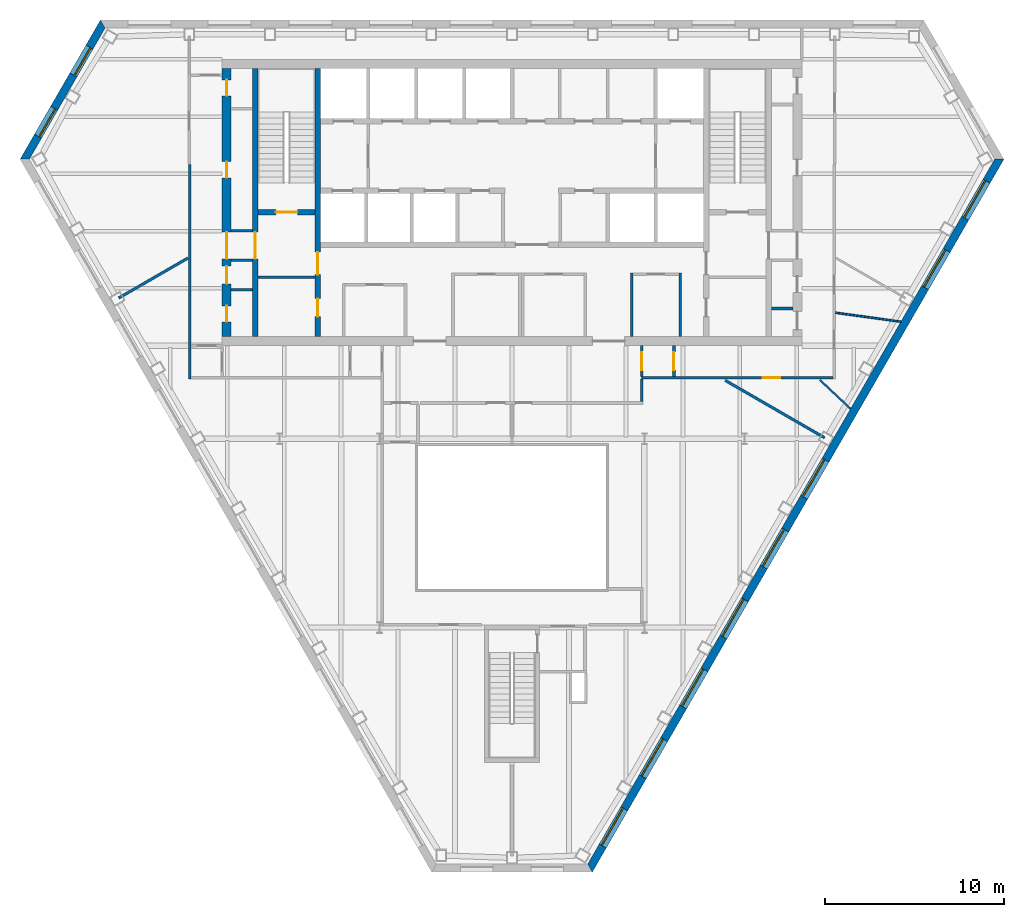
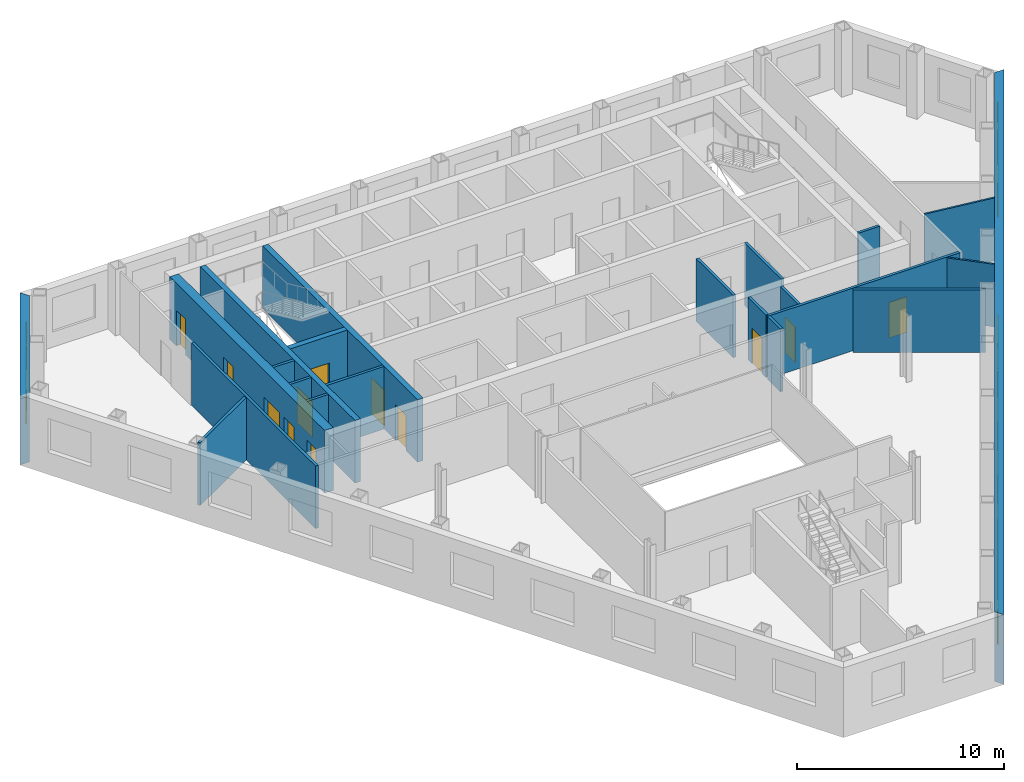
# One storey, part 5 of 11: 22 walls, 12 doors, 10 windows, 22 openings.
"""IFC4 building model written with IfcOpenShell, lengths in metres."""

import ifcopenshell
import ifcopenshell.guid

model = None  # the IFC model being written
_history = None  # IfcOwnerHistory: only IFC2X3 demands one
_inside = {}  # id of a spatial element -> (the spatial element, [elements in it])
_under = {}  # id of a project, library or spatial element -> (it, [spatial elements below it])
_declared = {}  # id of a project -> (the project, [libraries it declares])
_typed = {}  # id of a type object -> (the type object, [elements of that type])
_made_of = {}  # id of a material, layer set ... -> (it, [elements and type objects made of it])


def new_model(schema):
    """Start an empty IFC model of exactly this schema.

    Asked for "IFC4X3", IfcOpenShell would pick the latest addendum, in which some entities
    have other attributes; the version numbers below select the first issue.
    IFC2X3 requires an IfcOwnerHistory on every rooted entity: one is made here for all.
    """
    global model, _history
    if schema == "IFC4X3":
        model = ifcopenshell.file(schema_version=(4, 3, 0, 0))
    else:
        model = ifcopenshell.file(schema=schema)
    _inside.clear()
    _under.clear()
    _declared.clear()
    _typed.clear()
    _made_of.clear()
    _history = None
    if model.schema == "IFC2X3":
        org = make("IfcOrganization", Name="unknown")
        user = make(
            "IfcPersonAndOrganization",
            ThePerson=make("IfcPerson", FamilyName="unknown"),
            TheOrganization=org,
        )
        app = make(
            "IfcApplication",
            ApplicationDeveloper=org,
            Version="unknown",
            ApplicationFullName="unknown",
            ApplicationIdentifier="unknown",
        )
        _history = make(
            "IfcOwnerHistory",
            OwningUser=user,
            OwningApplication=app,
            ChangeAction="ADDED",
            CreationDate=0,
        )
    return model


def make(cls, **values):
    """One entity of the class cls with the attributes given. An attribute that is None is left unset."""
    return model.create_entity(
        cls, **{name: value for name, value in values.items() if value is not None}
    )


def rooted(cls, **values):
    """An entity with a GlobalId (a new one), such as an element, a storey or a relation."""
    return make(cls, GlobalId=ifcopenshell.guid.new(), OwnerHistory=_history, **values)


def si_unit(unit_type, name, prefix=None):
    """IfcSIUnit, for example si_unit("LENGTHUNIT", "METRE", prefix="MILLI")."""
    return make("IfcSIUnit", UnitType=unit_type, Prefix=prefix, Name=name)


def assignment(units):
    """IfcUnitAssignment: the units of a project."""
    return None if units is None else make("IfcUnitAssignment", Units=units)


def point(xyz):
    """IfcCartesianPoint."""
    return None if xyz is None else make("IfcCartesianPoint", Coordinates=xyz)


def direction(xyz):
    """IfcDirection."""
    return None if xyz is None else make("IfcDirection", DirectionRatios=xyz)


def frame(location, z_axis=None, x_axis=None):
    """IfcAxis2Placement3D, a coordinate frame: its origin and axes. An axis left out is left unset."""
    return make(
        "IfcAxis2Placement3D",
        Location=point(location),
        Axis=direction(z_axis),
        RefDirection=direction(x_axis),
    )


def frame_2d(location, x_axis=None):
    """IfcAxis2Placement2D, a coordinate frame in the plane: its origin and x axis."""
    return make(
        "IfcAxis2Placement2D", Location=point(location), RefDirection=direction(x_axis)
    )


def origin():
    """The frame at (0, 0, 0) with its axes left unset."""
    return frame((0.0, 0.0, 0.0))


def place(relative_to, where):
    """IfcLocalPlacement: puts the frame where relative to a parent placement (None: the world)."""
    return make(
        "IfcLocalPlacement", PlacementRelTo=relative_to, RelativePlacement=where
    )


def context(
    kind, dimensions, precision=None, world=None, true_north=None, identifier=None
):
    """IfcGeometricRepresentationContext, for example the 3D "Model" context."""
    return make(
        "IfcGeometricRepresentationContext",
        ContextIdentifier=identifier,
        ContextType=kind,
        CoordinateSpaceDimension=dimensions,
        Precision=precision,
        WorldCoordinateSystem=world,
        TrueNorth=true_north,
    )


def subcontext(parent, identifier, kind, view, scale=None):
    """IfcGeometricRepresentationSubContext, for example "Body" below "Model"."""
    return make(
        "IfcGeometricRepresentationSubContext",
        ContextIdentifier=identifier,
        ContextType=kind,
        ParentContext=parent,
        TargetScale=scale,
        TargetView=view,
    )


def project(units=None, contexts=None):
    """IfcProject with its units and contexts."""
    return rooted(
        "IfcProject",
        Name="project",
        RepresentationContexts=contexts,
        UnitsInContext=assignment(units),
    )


def spatial(cls, under=None, at=None, **own):
    """A site, building, storey or space (cls), placed at a placement, below another one or the project."""
    s = rooted(cls, ObjectPlacement=at, **own)
    if under is not None:
        _under.setdefault(under.id(), (under, []))[1].append(s)
    return s


def polyline(points):
    """IfcPolyline through the points."""
    return make("IfcPolyline", Points=[point(p) for p in points])


def profile(cls, at=None, kind="AREA", **sizes):
    """A parametric profile (cls). Its sizes go by their IFC names, for example OverallWidth=200.0."""
    return make(cls, ProfileType=kind, Position=at, **sizes)


def rectangle(**sizes):
    """IfcRectangleProfileDef."""
    return profile("IfcRectangleProfileDef", **sizes)


def outline(outer, holes=None, kind="AREA"):
    """IfcArbitraryClosedProfileDef: a profile drawn as a closed curve; with holes, ...WithVoids."""
    if holes is None:
        return make("IfcArbitraryClosedProfileDef", ProfileType=kind, OuterCurve=outer)
    return make(
        "IfcArbitraryProfileDefWithVoids",
        ProfileType=kind,
        OuterCurve=outer,
        InnerCurves=holes,
    )


def extrude(swept, where, along, depth):
    """IfcExtrudedAreaSolid: the profile swept, set in the frame where, extruded along a direction by depth."""
    return make(
        "IfcExtrudedAreaSolid",
        SweptArea=swept,
        Position=where,
        ExtrudedDirection=direction(along),
        Depth=depth,
    )


def shape(context_of_items, identifier, shape_type, items):
    """IfcShapeRepresentation: the items that make up one representation, for example the "Body"."""
    return make(
        "IfcShapeRepresentation",
        ContextOfItems=context_of_items,
        RepresentationIdentifier=identifier,
        RepresentationType=shape_type,
        Items=items,
    )


def material(Name=None, Category=None):
    """IfcMaterial."""
    return make("IfcMaterial", Name=Name, Category=Category)


def layer(
    of_material, thickness, ventilated=None, Name=None, Category=None, Priority=None
):
    """IfcMaterialLayer: one layer of a wall or slab, of a material (None: an air gap)."""
    return make(
        "IfcMaterialLayer",
        Material=of_material,
        LayerThickness=thickness,
        IsVentilated=ventilated,
        Name=Name,
        Category=Category,
        Priority=Priority,
    )


def layer_set(layers, Name=None):
    """IfcMaterialLayerSet."""
    return make("IfcMaterialLayerSet", MaterialLayers=layers, LayerSetName=Name)


def made_of(thing, what):
    """Note that an element or type object is made of a material, layer set ...; save() writes the relation."""
    if what is not None:
        _made_of.setdefault(what.id(), (what, []))[1].append(thing)
    return thing


def type_object(cls, material=None, **own):
    """A type object (cls), such as IfcWallType, which elements share."""
    return made_of(rooted(cls, **own), material)


def element(
    cls,
    number,
    at=None,
    inside=None,
    cuts=None,
    type_object=None,
    material=None,
    context=None,
    identifier="Body",
    shape_type=None,
    held_by="IfcProductDefinitionShape",
    body=None,
    shapes=None,
    **own,
):
    """One element of the class cls, such as IfcWall. Its Tag is "e" and its number.

    at: its placement. inside: the storey or other place that contains it. cuts: it is an
    opening in that element (IfcRelVoidsElement). A single representation is given by context,
    identifier, shape_type and body (its items); several are given by shapes. held_by: the class
    of the entity that holds the representations. save() writes the other relations.
    """
    e = rooted(cls, Tag="e%d" % number, ObjectPlacement=at, **own)
    if body is not None:
        shapes = [shape(context, identifier, shape_type, body)]
    if shapes is not None:
        e.Representation = make(held_by, Representations=shapes)
    if inside is not None:
        _inside.setdefault(inside.id(), (inside, []))[1].append(e)
    if cuts is not None:
        rooted(
            "IfcRelVoidsElement", RelatingBuildingElement=cuts, RelatedOpeningElement=e
        )
    if type_object is not None:
        _typed.setdefault(type_object.id(), (type_object, []))[1].append(e)
    return made_of(e, material)


def fill(opening, filler):
    """IfcRelFillsElement: the door or window that sits in an opening."""
    return rooted(
        "IfcRelFillsElement",
        RelatingOpeningElement=opening,
        RelatedBuildingElement=filler,
    )


def aggregate(whole, parts):
    """IfcRelAggregates: a whole, such as a stair, and the parts it consists of."""
    return rooted("IfcRelAggregates", RelatingObject=whole, RelatedObjects=parts)


def save(model, path):
    """Write the relations noted so far, then the file.

    IfcRelAggregates (storeys below a building ...), IfcRelContainedInSpatialStructure (elements
    in a storey), IfcRelDefinesByType, IfcRelAssociatesMaterial and IfcRelDeclares: one each for
    every whole, place, type object, material and project.
    """
    for whole, parts in _under.values():
        aggregate(whole, parts)
    for where, things in _inside.values():
        rooted(
            "IfcRelContainedInSpatialStructure",
            RelatedElements=things,
            RelatingStructure=where,
        )
    for kind, things in _typed.values():
        rooted("IfcRelDefinesByType", RelatedObjects=things, RelatingType=kind)
    for what, things in _made_of.values():
        rooted("IfcRelAssociatesMaterial", RelatedObjects=things, RelatingMaterial=what)
    for by, libraries in _declared.values():
        rooted("IfcRelDeclares", RelatingContext=by, RelatedDefinitions=libraries)
    model.write(path)


model = new_model("IFC4")

# Units and contexts
model_context = context("Model", 3, precision=1e-05, world=origin(), true_north=direction((0.0, 1.0)))
body_context = subcontext(model_context, "Body", "Model", "MODEL_VIEW")
ifc_project = project(units=[si_unit("LENGTHUNIT", "METRE"), si_unit("AREAUNIT", "SQUARE_METRE"), si_unit("VOLUMEUNIT", "CUBIC_METRE"), si_unit("PLANEANGLEUNIT", "RADIAN"), si_unit("MASSUNIT", "GRAM", prefix="KILO")], contexts=[model_context])

# Site, building, storey
site_placement = place(None, origin())
site = spatial("IfcSite", under=ifc_project, at=site_placement, CompositionType="ELEMENT")
building_placement = place(site_placement, origin())
building = spatial("IfcBuilding", under=site, at=building_placement, Name="Njiva Tower", CompositionType="ELEMENT")
storey_placement = place(building_placement, frame((0.0, 0.0, 147.6)))
storey = spatial("IfcBuildingStorey", under=building, at=storey_placement, Name="L31", CompositionType="ELEMENT", Elevation=147.6)

# Walls
ifc_material_1 = material(Name="Blockwork", Category="masonry")
ifc_layer_1 = layer(ifc_material_1, 0.15)
ifc_layer_set_1 = layer_set([ifc_layer_1], Name="Blockwork")
wall_type_1 = type_object("IfcWallType", Name="WT1 Compartment partition 150", PredefinedType="PARTITIONING", material=ifc_layer_set_1)
wall_1_placement = place(storey_placement, frame((-14.2, 5.825, 0.0), z_axis=(0.0, 0.0, 1.0), x_axis=(1.0, 0.0, 0.0)))
element("IfcWall", 1, at=wall_1_placement, inside=storey, type_object=wall_type_1, Name="Room wall A", PredefinedType="PARTITIONING", context=body_context, shape_type="SweptSolid", body=[
    extrude(rectangle(XDim=3.2, YDim=0.15, at=frame_2d((1.6, 0.0))), origin(), (0.0, 0.0, 1.0), 3.7),
])
for number, where, z_axis, x_axis, name in (
    (2, (-15.7, 5.125, 0.0), (0.0, 0.0, 1.0), (1.0, 0.0, 0.0), "Partition strip W00"),
    (3, (14.5, 4.075, 0.0), (0.0, 0.0, 1.0), (1.0, 0.0, 0.0), "Partition strip E00"),
):
    element("IfcWall", number, at=place(storey_placement, frame(where, z_axis=z_axis, x_axis=x_axis)), inside=storey, type_object=wall_type_1, Name=name, PredefinedType="PARTITIONING", context=body_context, shape_type="SweptSolid", body=[
        extrude(rectangle(XDim=1.2, YDim=0.15, at=frame_2d((0.6, 0.0))), origin(), (0.0, 0.0, 1.0), 3.7),
    ])
for number, where, z_axis, x_axis, name in (
    (4, (6.7, 2.5, 0.0), (0.0, 0.0, 1.0), (0.0, 1.0, 0.0), "Information office wall west"),
    (5, (9.4, 2.5, 0.0), (0.0, 0.0, 1.0), (0.0, 1.0, 0.0), "Information office wall east"),
):
    element("IfcWall", number, at=place(storey_placement, frame(where, z_axis=z_axis, x_axis=x_axis)), inside=storey, type_object=wall_type_1, Name=name, PredefinedType="PARTITIONING", context=body_context, shape_type="SweptSolid", body=[
        extrude(rectangle(XDim=3.575, YDim=0.15, at=frame_2d((1.7875, 0.0))), origin(), (0.0, 0.0, 1.0), 3.7),
    ])

# Wall, openings, doors
ifc_material_2 = material(Name="Concrete C40/50", Category="concrete")
ifc_layer_2 = layer(ifc_material_2, 0.3)
ifc_layer_set_2 = layer_set([ifc_layer_2], Name="Concrete C40/50")
wall_type_2 = type_object("IfcWallType", Name="WT10 Stair enclosure wall 300", PredefinedType="SHEAR", material=ifc_layer_set_2)
wall_2_placement = place(storey_placement, frame((-10.85, 2.5, 0.0), z_axis=(0.0, 0.0, 1.0), x_axis=(0.0, 1.0, 0.0)))
wall_2 = element("IfcWall", 6, at=wall_2_placement, inside=storey, type_object=wall_type_2, Name="Stair wall west inner", PredefinedType="SHEAR", context=body_context, shape_type="SweptSolid", body=[
    extrude(rectangle(XDim=15.0, YDim=0.3, at=frame_2d((7.5, 0.0))), origin(), (0.0, 0.0, 1.0), 3.7),
])
opening_1_placement = place(wall_2_placement, frame((3.475, 0.0, 0.0)))
opening_1 = element("IfcOpeningElement", 7, at=opening_1_placement, cuts=wall_2, Name="Opening S10-D916", PredefinedType="OPENING", context=body_context, shape_type="SweptSolid", body=[
    extrude(rectangle(XDim=1.25, YDim=2.1, at=frame_2d((0.625, 1.05))), frame((0.0, 0.16, 0.0), z_axis=(0.0, -1.0, 0.0), x_axis=(1.0, 0.0, 0.0)), (0.0, 0.0, 1.0), 0.32),
])
opening_2_placement = place(wall_2_placement, frame((1.125, 0.0, 0.0)))
opening_2 = element("IfcOpeningElement", 8, at=opening_2_placement, cuts=wall_2, Name="Opening S10-D917", PredefinedType="OPENING", context=body_context, shape_type="SweptSolid", body=[
    extrude(rectangle(XDim=1.0, YDim=2.1, at=frame_2d((0.5, 1.05))), frame((0.0, 0.16, 0.0), z_axis=(0.0, -1.0, 0.0), x_axis=(1.0, 0.0, 0.0)), (0.0, 0.0, 1.0), 0.32),
])
ifc_material_3 = material(Name="Steel door, painted", Category="steel")
door_type_1 = type_object("IfcDoorType", Name="D5 Steel door 1000x2100", OperationType="SINGLE_SWING_LEFT", PredefinedType="DOOR", material=ifc_material_3)
door_1_placement = place(opening_2_placement, origin())
door_1 = element("IfcDoor", 9, at=door_1_placement, inside=storey, type_object=door_type_1, Name="Business centre door", OperationType="SINGLE_SWING_RIGHT", OverallHeight=2.1, OverallWidth=1.0, PredefinedType="DOOR", context=body_context, shape_type="SweptSolid", body=[
    extrude(rectangle(XDim=1.0, YDim=2.1, at=frame_2d((0.5, 1.05))), frame((0.0, 0.025, 0.0), z_axis=(0.0, -1.0, 0.0), x_axis=(1.0, 0.0, 0.0)), (0.0, 0.0, 1.0), 0.05),
])
fill(opening_2, door_1)
ifc_material_4 = material(Name="Glazed steel fire door", Category="steel")
door_type_2 = type_object("IfcDoorType", Name="D8 Vestibule corridor door 1250x2100 glazed", OperationType="SINGLE_SWING_LEFT", PredefinedType="DOOR", material=ifc_material_4)
door_2_placement = place(opening_1_placement, origin())
door_2 = element("IfcDoor", 10, at=door_2_placement, inside=storey, type_object=door_type_2, Name="Stair vestibule corridor door", OperationType="SINGLE_SWING_LEFT", OverallHeight=2.1, OverallWidth=1.25, PredefinedType="DOOR", context=body_context, shape_type="SweptSolid", body=[
    extrude(rectangle(XDim=1.25, YDim=2.1, at=frame_2d((0.625, 1.05))), frame((0.0, 0.025, 0.0), z_axis=(0.0, -1.0, 0.0), x_axis=(1.0, 0.0, 0.0)), (0.0, 0.0, 1.0), 0.05),
])
fill(opening_1, door_2)

# Wall, opening, door
wall_3_placement = place(storey_placement, frame((-14.35, 2.5, 0.0), z_axis=(0.0, 0.0, 1.0), x_axis=(0.0, 1.0, 0.0)))
wall_3 = element("IfcWall", 11, at=wall_3_placement, inside=storey, type_object=wall_type_2, Name="Stair wall west outer", PredefinedType="SHEAR", context=body_context, shape_type="SweptSolid", body=[
    extrude(rectangle(XDim=15.0, YDim=0.3, at=frame_2d((7.5, 0.0))), origin(), (0.0, 0.0, 1.0), 3.7),
])
opening_3_placement = place(wall_3_placement, frame((4.35, 0.0, 0.0)))
opening_3 = element("IfcOpeningElement", 12, at=opening_3_placement, cuts=wall_3, Name="Opening S10-D922", PredefinedType="OPENING", context=body_context, shape_type="SweptSolid", body=[
    extrude(rectangle(XDim=1.5, YDim=2.1, at=frame_2d((0.75, 1.05))), frame((0.0, 0.16, 0.0), z_axis=(0.0, -1.0, 0.0), x_axis=(1.0, 0.0, 0.0)), (0.0, 0.0, 1.0), 0.32),
])
door_type_3 = type_object("IfcDoorType", Name="D10 Exit door double 1500x2100 glazed", OperationType="DOUBLE_DOOR_SINGLE_SWING", PredefinedType="DOOR", material=ifc_material_4)
door_3_placement = place(opening_3_placement, origin())
door_3 = element("IfcDoor", 13, at=door_3_placement, inside=storey, type_object=door_type_3, Name="Stair A passage door", OperationType="DOUBLE_DOOR_SINGLE_SWING", OverallHeight=2.1, OverallWidth=1.5, PredefinedType="DOOR", context=body_context, shape_type="SweptSolid", body=[
    extrude(rectangle(XDim=1.5, YDim=2.1, at=frame_2d((0.75, 1.05))), frame((0.0, 0.025, 0.0), z_axis=(0.0, -1.0, 0.0), x_axis=(1.0, 0.0, 0.0)), (0.0, 0.0, 1.0), 0.05),
])
fill(opening_3, door_3)

wall_4_placement = place(storey_placement, frame((-14.2, 9.45, 0.0), z_axis=(0.0, 0.0, 1.0), x_axis=(1.0, 0.0, 0.0)))
wall_4 = element("IfcWall", 14, at=wall_4_placement, inside=storey, type_object=wall_type_2, Name="Stair A south wall", PredefinedType="SHEAR", context=body_context, shape_type="SweptSolid", body=[
    extrude(rectangle(XDim=3.2, YDim=0.3, at=frame_2d((1.6, 0.0))), origin(), (0.0, 0.0, 1.0), 3.7),
])
opening_4_placement = place(wall_4_placement, frame((1.0, 0.0, 0.0)))
opening_4 = element("IfcOpeningElement", 15, at=opening_4_placement, cuts=wall_4, Name="Opening S10-D915", PredefinedType="OPENING", context=body_context, shape_type="SweptSolid", body=[
    extrude(rectangle(XDim=1.2, YDim=2.1, at=frame_2d((0.6, 1.05))), frame((0.0, 0.16, 0.0), z_axis=(0.0, -1.0, 0.0), x_axis=(1.0, 0.0, 0.0)), (0.0, 0.0, 1.0), 0.32),
])
door_type_4 = type_object("IfcDoorType", Name="D7 Stair vestibule door 1200x2100 glazed", OperationType="SINGLE_SWING_LEFT", PredefinedType="DOOR", material=ifc_material_4)
door_4_placement = place(opening_4_placement, origin())
door_4 = element("IfcDoor", 16, at=door_4_placement, inside=storey, type_object=door_type_4, Name="Stair A door", OperationType="SINGLE_SWING_LEFT", OverallHeight=2.1, OverallWidth=1.2, PredefinedType="DOOR", context=body_context, shape_type="SweptSolid", body=[
    extrude(rectangle(XDim=1.2, YDim=2.1, at=frame_2d((0.6, 1.05))), frame((0.0, 0.025, 0.0), z_axis=(0.0, -1.0, 0.0), x_axis=(1.0, 0.0, 0.0)), (0.0, 0.0, 1.0), 0.05),
])
fill(opening_4, door_4)

# Wall, openings, doors
ifc_material_5 = material(Name="Concrete C60/75", Category="concrete")
ifc_layer_3 = layer(ifc_material_5, 0.5)
ifc_layer_set_3 = layer_set([ifc_layer_3], Name="Concrete C60/75")
wall_type_3 = type_object("IfcWallType", Name="WT13 Core wall 500", PredefinedType="SHEAR", material=ifc_layer_set_3)
wall_5_placement = place(storey_placement, frame((-15.95, 2.5, 0.0), z_axis=(0.0, 0.0, 1.0), x_axis=(0.0, 1.0, 0.0)))
wall_5 = element("IfcWall", 17, at=wall_5_placement, inside=storey, type_object=wall_type_3, Name="Core wall west", PredefinedType="SHEAR", context=body_context, shape_type="SweptSolid", body=[
    extrude(rectangle(XDim=15.0, YDim=0.5, at=frame_2d((7.5, 0.0))), origin(), (0.0, 0.0, 1.0), 3.7),
])
opening_5_placement = place(wall_5_placement, frame((4.35, 0.0, 0.0)))
opening_5 = element("IfcOpeningElement", 18, at=opening_5_placement, cuts=wall_5, Name="Opening S10-D923", PredefinedType="OPENING", context=body_context, shape_type="SweptSolid", body=[
    extrude(rectangle(XDim=1.5, YDim=2.1, at=frame_2d((0.75, 1.05))), frame((0.0, 0.26, 0.0), z_axis=(0.0, -1.0, 0.0), x_axis=(1.0, 0.0, 0.0)), (0.0, 0.0, 1.0), 0.52),
])
opening_6_placement = place(wall_5_placement, frame((0.825, 0.0, 0.0)))
opening_6 = element("IfcOpeningElement", 19, at=opening_6_placement, cuts=wall_5, Name="Opening S10-D924", PredefinedType="OPENING", context=body_context, shape_type="SweptSolid", body=[
    extrude(rectangle(XDim=0.9, YDim=2.1, at=frame_2d((0.45, 1.05))), frame((0.0, 0.26, 0.0), z_axis=(0.0, -1.0, 0.0), x_axis=(1.0, 0.0, 0.0)), (0.0, 0.0, 1.0), 0.52),
])
opening_7_placement = place(wall_5_placement, frame((2.95, 0.0, 0.0)))
opening_7 = element("IfcOpeningElement", 20, at=opening_7_placement, cuts=wall_5, Name="Opening S10-D925", PredefinedType="OPENING", context=body_context, shape_type="SweptSolid", body=[
    extrude(rectangle(XDim=1.0, YDim=2.1, at=frame_2d((0.5, 1.05))), frame((0.0, 0.26, 0.0), z_axis=(0.0, -1.0, 0.0), x_axis=(1.0, 0.0, 0.0)), (0.0, 0.0, 1.0), 0.52),
])
opening_8_placement = place(wall_5_placement, frame((8.8823, 0.0, 0.0)))
opening_8 = element("IfcOpeningElement", 21, at=opening_8_placement, cuts=wall_5, Name="Opening S10-D926", PredefinedType="OPENING", context=body_context, shape_type="SweptSolid", body=[
    extrude(rectangle(XDim=0.9, YDim=2.1, at=frame_2d((0.45, 1.05))), frame((0.0, 0.26, 0.0), z_axis=(0.0, -1.0, 0.0), x_axis=(1.0, 0.0, 0.0)), (0.0, 0.0, 1.0), 0.52),
])
opening_9_placement = place(wall_5_placement, frame((13.4573, 0.0, 0.0)))
opening_9 = element("IfcOpeningElement", 22, at=opening_9_placement, cuts=wall_5, Name="Opening S10-D927", PredefinedType="OPENING", context=body_context, shape_type="SweptSolid", body=[
    extrude(rectangle(XDim=0.9, YDim=2.1, at=frame_2d((0.45, 1.05))), frame((0.0, 0.26, 0.0), z_axis=(0.0, -1.0, 0.0), x_axis=(1.0, 0.0, 0.0)), (0.0, 0.0, 1.0), 0.52),
])
door_5_placement = place(opening_5_placement, origin())
door_5 = element("IfcDoor", 23, at=door_5_placement, inside=storey, type_object=door_type_3, Name="Stair A corridor door", OperationType="DOUBLE_DOOR_SINGLE_SWING", OverallHeight=2.1, OverallWidth=1.5, PredefinedType="DOOR", context=body_context, shape_type="SweptSolid", body=[
    extrude(rectangle(XDim=1.5, YDim=2.1, at=frame_2d((0.75, 1.05))), frame((0.0, 0.025, 0.0), z_axis=(0.0, -1.0, 0.0), x_axis=(1.0, 0.0, 0.0)), (0.0, 0.0, 1.0), 0.05),
])
fill(opening_5, door_5)
door_type_5 = type_object("IfcDoorType", Name="D4 Riser door 900x2100", OperationType="SINGLE_SWING_LEFT", PredefinedType="DOOR", material=ifc_material_3)
door_6_placement = place(opening_9_placement, origin())
door_6 = element("IfcDoor", 24, at=door_6_placement, inside=storey, type_object=door_type_5, Name="Cable riser door", OperationType="SINGLE_SWING_LEFT", OverallHeight=2.1, OverallWidth=0.9, PredefinedType="DOOR", context=body_context, shape_type="SweptSolid", body=[
    extrude(rectangle(XDim=0.9, YDim=2.1, at=frame_2d((0.45, 1.05))), frame((0.0, 0.025, 0.0), z_axis=(0.0, -1.0, 0.0), x_axis=(1.0, 0.0, 0.0)), (0.0, 0.0, 1.0), 0.05),
])
fill(opening_9, door_6)
door_7_placement = place(opening_7_placement, origin())
door_7 = element("IfcDoor", 25, at=door_7_placement, inside=storey, type_object=door_type_1, Name="Electrical room door", OperationType="SINGLE_SWING_RIGHT", OverallHeight=2.1, OverallWidth=1.0, PredefinedType="DOOR", context=body_context, shape_type="SweptSolid", body=[
    extrude(rectangle(XDim=1.0, YDim=2.1, at=frame_2d((0.5, 1.05))), frame((0.0, 0.025, 0.0), z_axis=(0.0, -1.0, 0.0), x_axis=(1.0, 0.0, 0.0)), (0.0, 0.0, 1.0), 0.05),
])
fill(opening_7, door_7)
ifc_material_6 = material(Name="Steel fire door, painted", Category="steel")
door_type_6 = type_object("IfcDoorType", Name="D6 Fire-rated door 900x2100", OperationType="SINGLE_SWING_LEFT", PredefinedType="DOOR", material=ifc_material_6)
door_8_placement = place(opening_6_placement, origin())
door_8 = element("IfcDoor", 26, at=door_8_placement, inside=storey, type_object=door_type_6, Name="Cable store door", OperationType="SINGLE_SWING_RIGHT", OverallHeight=2.1, OverallWidth=0.9, PredefinedType="DOOR", context=body_context, shape_type="SweptSolid", body=[
    extrude(rectangle(XDim=0.9, YDim=2.1, at=frame_2d((0.45, 1.05))), frame((0.0, 0.025, 0.0), z_axis=(0.0, -1.0, 0.0), x_axis=(1.0, 0.0, 0.0)), (0.0, 0.0, 1.0), 0.05),
])
fill(opening_6, door_8)
door_9_placement = place(opening_8_placement, origin())
door_9 = element("IfcDoor", 27, at=door_9_placement, inside=storey, type_object=door_type_6, Name="Cable store door", OperationType="SINGLE_SWING_LEFT", OverallHeight=2.1, OverallWidth=0.9, PredefinedType="DOOR", context=body_context, shape_type="SweptSolid", body=[
    extrude(rectangle(XDim=0.9, YDim=2.1, at=frame_2d((0.45, 1.05))), frame((0.0, 0.025, 0.0), z_axis=(0.0, -1.0, 0.0), x_axis=(1.0, 0.0, 0.0)), (0.0, 0.0, 1.0), 0.05),
])
fill(opening_8, door_9)

# Walls
ifc_material_7 = material(Name="Gypsum board on steel studs", Category="gypsum")
ifc_layer_4 = layer(ifc_material_7, 0.1)
ifc_layer_set_4 = layer_set([ifc_layer_4], Name="Gypsum board on steel studs")
wall_type_4 = type_object("IfcWallType", Name="WT20 Gypsum partition 100", PredefinedType="PARTITIONING", material=ifc_layer_set_4)
wall_6_placement = place(storey_placement, frame((17.2, 0.089, 0.0), z_axis=(0.0, 0.0, 1.0), x_axis=(0.728995381281, -0.684518614846, 0.0)))
element("IfcWall", 28, at=wall_6_placement, inside=storey, type_object=wall_type_4, Name="Partition S10-P027", PredefinedType="PARTITIONING", context=body_context, shape_type="SweptSolid", body=[
    extrude(rectangle(XDim=2.3608, YDim=0.1, at=frame_2d((1.1804, 0.0))), origin(), (0.0, 0.0, 1.0), 3.7),
])
wall_7_placement = place(storey_placement, frame((18.082, 3.84, 0.0), z_axis=(0.0, 0.0, 1.0), x_axis=(0.990695786663, -0.136095034033, 0.0)))
element("IfcWall", 29, at=wall_7_placement, inside=storey, type_object=wall_type_4, Name="Partition S10-P030", PredefinedType="PARTITIONING", context=body_context, shape_type="SweptSolid", body=[
    extrude(rectangle(XDim=3.6813, YDim=0.1, at=frame_2d((1.8406, 0.0))), origin(), (0.0, 0.0, 1.0), 3.7),
])
ifc_layer_5 = layer(ifc_material_7, 0.15)
ifc_layer_set_5 = layer_set([ifc_layer_5], Name="Gypsum board on steel studs")
wall_type_5 = type_object("IfcWallType", Name="WT21 Compartment wall 150", PredefinedType="PARTITIONING", material=ifc_layer_set_5)
wall_8_placement = place(storey_placement, frame((-21.976, 4.664, 0.0), z_axis=(0.0, 0.0, 1.0), x_axis=(0.865957845807, 0.500116995598, 0.0)))
element("IfcWall", 30, at=wall_8_placement, inside=storey, type_object=wall_type_5, Name="Partition S10-P001", PredefinedType="PARTITIONING", context=body_context, shape_type="SweptSolid", body=[
    extrude(rectangle(XDim=4.461, YDim=0.15, at=frame_2d((2.2305, 0.0))), origin(), (0.0, 0.0, 1.0), 3.7),
])
wall_9_placement = place(storey_placement, frame((-18.0, 0.125, 0.0), z_axis=(0.0, 0.0, 1.0), x_axis=(0.0, 1.0, 0.0)))
element("IfcWall", 31, at=wall_9_placement, inside=storey, type_object=wall_type_5, Name="Partition S10-P004", PredefinedType="PARTITIONING", context=body_context, shape_type="SweptSolid", body=[
    extrude(rectangle(XDim=11.999, YDim=0.15, at=frame_2d((5.9995, 0.0))), origin(), (0.0, 0.0, 1.0), 3.7),
])
wall_10_placement = place(storey_placement, frame((7.25, -1.125, 0.0), z_axis=(0.0, 0.0, 1.0), x_axis=(0.0, 1.0, 0.0)))
element("IfcWall", 32, at=wall_10_placement, inside=storey, type_object=wall_type_5, Name="Partition S10-P021", PredefinedType="PARTITIONING", context=body_context, shape_type="SweptSolid", body=[
    extrude(rectangle(XDim=1.25, YDim=0.15, at=frame_2d((0.625, 0.0))), origin(), (0.0, 0.0, 1.0), 3.7),
])

# Wall, opening, door
wall_11_placement = place(storey_placement, frame((7.25, 0.2, 0.0), z_axis=(0.0, 0.0, 1.0), x_axis=(1.0, 0.0, 0.0)))
wall_11 = element("IfcWall", 33, at=wall_11_placement, inside=storey, type_object=wall_type_5, Name="Partition S10-P022", PredefinedType="PARTITIONING", context=body_context, shape_type="SweptSolid", body=[
    extrude(rectangle(XDim=10.675, YDim=0.15, at=frame_2d((5.3375, 0.0))), origin(), (0.0, 0.0, 1.0), 3.7),
])
opening_10_placement = place(wall_11_placement, frame((6.75, 0.0, 0.0)))
opening_10 = element("IfcOpeningElement", 34, at=opening_10_placement, cuts=wall_11, Name="Opening S10-D012", PredefinedType="OPENING", context=body_context, shape_type="SweptSolid", body=[
    extrude(rectangle(XDim=1.0, YDim=2.1, at=frame_2d((0.5, 1.05))), frame((0.0, 0.085, 0.0), z_axis=(0.0, -1.0, 0.0), x_axis=(1.0, 0.0, 0.0)), (0.0, 0.0, 1.0), 0.17),
])
ifc_material_8 = material(Name="Steel fire door set", Category="steel")
door_type_7 = type_object("IfcDoorType", Name="D37 Fire door 1000x2100", OperationType="SINGLE_SWING_LEFT", PredefinedType="DOOR", material=ifc_material_8)
door_10_placement = place(opening_10_placement, origin())
door_10 = element("IfcDoor", 35, at=door_10_placement, inside=storey, type_object=door_type_7, Name="Door S10-D012", OperationType="SINGLE_SWING_RIGHT", OverallHeight=2.1, OverallWidth=1.0, PredefinedType="DOOR", context=body_context, shape_type="SweptSolid", body=[
    extrude(rectangle(XDim=1.0, YDim=2.1, at=frame_2d((0.5, 1.05))), frame((0.0, 0.025, 0.0), z_axis=(0.0, -1.0, 0.0), x_axis=(1.0, 0.0, 0.0)), (0.0, 0.0, 1.0), 0.05),
])
fill(opening_10, door_10)

wall_12_placement = place(storey_placement, frame((7.25, 0.275, 0.0), z_axis=(0.0, 0.0, 1.0), x_axis=(0.0, 1.0, 0.0)))
wall_12 = element("IfcWall", 36, at=wall_12_placement, inside=storey, type_object=wall_type_5, Name="Partition S10-P023", PredefinedType="PARTITIONING", context=body_context, shape_type="SweptSolid", body=[
    extrude(rectangle(XDim=1.725, YDim=0.15, at=frame_2d((0.8625, 0.0))), origin(), (0.0, 0.0, 1.0), 3.7),
])
opening_11_placement = place(wall_12_placement, frame((0.362, 0.0, 0.0)))
opening_11 = element("IfcOpeningElement", 37, at=opening_11_placement, cuts=wall_12, Name="Opening S10-D013", PredefinedType="OPENING", context=body_context, shape_type="SweptSolid", body=[
    extrude(rectangle(XDim=1.0, YDim=2.1, at=frame_2d((0.5, 1.05))), frame((0.0, 0.085, 0.0), z_axis=(0.0, -1.0, 0.0), x_axis=(1.0, 0.0, 0.0)), (0.0, 0.0, 1.0), 0.17),
])
door_11_placement = place(opening_11_placement, origin())
door_11 = element("IfcDoor", 38, at=door_11_placement, inside=storey, type_object=door_type_7, Name="Door S10-D013", OperationType="SINGLE_SWING_LEFT", OverallHeight=2.1, OverallWidth=1.0, PredefinedType="DOOR", context=body_context, shape_type="SweptSolid", body=[
    extrude(rectangle(XDim=1.0, YDim=2.1, at=frame_2d((0.5, 1.05))), frame((0.0, 0.025, 0.0), z_axis=(0.0, -1.0, 0.0), x_axis=(1.0, 0.0, 0.0)), (0.0, 0.0, 1.0), 0.05),
])
fill(opening_11, door_11)

wall_13_placement = place(storey_placement, frame((9.05, 0.275, 0.0), z_axis=(0.0, 0.0, 1.0), x_axis=(0.0, 1.0, 0.0)))
wall_13 = element("IfcWall", 39, at=wall_13_placement, inside=storey, type_object=wall_type_5, Name="Partition S10-P024", PredefinedType="PARTITIONING", context=body_context, shape_type="SweptSolid", body=[
    extrude(rectangle(XDim=1.725, YDim=0.15, at=frame_2d((0.8625, 0.0))), origin(), (0.0, 0.0, 1.0), 3.7),
])
opening_12_placement = place(wall_13_placement, frame((0.363, 0.0, 0.0)))
opening_12 = element("IfcOpeningElement", 40, at=opening_12_placement, cuts=wall_13, Name="Opening S10-D014", PredefinedType="OPENING", context=body_context, shape_type="SweptSolid", body=[
    extrude(rectangle(XDim=1.0, YDim=2.1, at=frame_2d((0.5, 1.05))), frame((0.0, 0.085, 0.0), z_axis=(0.0, -1.0, 0.0), x_axis=(1.0, 0.0, 0.0)), (0.0, 0.0, 1.0), 0.17),
])
door_12_placement = place(opening_12_placement, origin())
door_12 = element("IfcDoor", 41, at=door_12_placement, inside=storey, type_object=door_type_7, Name="Door S10-D014", OperationType="SINGLE_SWING_RIGHT", OverallHeight=2.1, OverallWidth=1.0, PredefinedType="DOOR", context=body_context, shape_type="SweptSolid", body=[
    extrude(rectangle(XDim=1.0, YDim=2.1, at=frame_2d((0.5, 1.05))), frame((0.0, 0.025, 0.0), z_axis=(0.0, -1.0, 0.0), x_axis=(1.0, 0.0, 0.0)), (0.0, 0.0, 1.0), 0.05),
])
fill(opening_12, door_12)

# Walls
wall_14_placement = place(storey_placement, frame((11.916, 0.06, 0.0), z_axis=(0.0, 0.0, 1.0), x_axis=(0.866055709532, -0.499947505232, 0.0)))
element("IfcWall", 42, at=wall_14_placement, inside=storey, type_object=wall_type_5, Name="Partition S10-P025", PredefinedType="PARTITIONING", context=body_context, shape_type="SweptSolid", body=[
    extrude(rectangle(XDim=6.4107, YDim=0.15, at=frame_2d((3.2054, 0.0))), origin(), (0.0, 0.0, 1.0), 3.7),
])
ifc_layer_6 = layer(ifc_material_1, 0.15)
ifc_layer_set_6 = layer_set([ifc_layer_6], Name="Blockwork")
wall_type_6 = type_object("IfcWallType", Name="WT4 Stair partition 150", PredefinedType="PARTITIONING", material=ifc_layer_set_6)
for number, where, z_axis, x_axis, name in (
    (43, (-15.7, 6.775, 0.0), (0.0, 0.0, 1.0), (1.0, 0.0, 0.0), "Stair A exit passage wall south"),
    (44, (-15.7, 8.425, 0.0), (0.0, 0.0, 1.0), (1.0, 0.0, 0.0), "Stair A exit passage wall north"),
):
    element("IfcWall", number, at=place(storey_placement, frame(where, z_axis=z_axis, x_axis=x_axis)), inside=storey, type_object=wall_type_6, Name=name, PredefinedType="PARTITIONING", context=body_context, shape_type="SweptSolid", body=[
        extrude(rectangle(XDim=1.2, YDim=0.15, at=frame_2d((0.6, 0.0))), origin(), (0.0, 0.0, 1.0), 3.7),
    ])

# Wall, openings, windows
ifc_material_9 = material(Name="Brick masonry", Category="masonry")
ifc_layer_7 = layer(ifc_material_9, 0.45)
ifc_layer_set_7 = layer_set([ifc_layer_7], Name="Brick masonry")
wall_type_7 = type_object("IfcWallType", Name="WT90 Brick pier and spandrel wall 450", PredefinedType="SOLIDWALL", material=ifc_layer_set_7)
wall_15_placement = place(storey_placement, frame((4.3601, -27.1977, -0.4), z_axis=(0.0, 0.0, 1.0), x_axis=(0.500000335318, 0.866025210188, 0.0)))
wall_15 = element("IfcWall", 45, at=wall_15_placement, inside=storey, type_object=wall_type_7, Name="Facade wall SE", PredefinedType="SOLIDWALL", context=body_context, shape_type="SweptSolid", body=[
    extrude(outline(polyline([(-0.1299, -0.225), (45.8801, -0.225), (45.6203, 0.225), (0.1299, 0.225), (-0.1299, -0.225)])), origin(), (0.0, 0.0, 1.0), 4.12),
])
opening_13_placement = place(wall_15_placement, frame((1.4247, 0.0, 1.3)))
opening_13 = element("IfcOpeningElement", 46, at=opening_13_placement, cuts=wall_15, Name="Opening S10-W24", PredefinedType="OPENING", context=body_context, shape_type="SweptSolid", body=[
    extrude(rectangle(XDim=2.4, YDim=2.0, at=frame_2d((1.2, 1.0))), frame((0.0, 0.235, 0.0), z_axis=(0.0, -1.0, 0.0), x_axis=(1.0, 0.0, 0.0)), (0.0, 0.0, 1.0), 0.47),
])
opening_14_placement = place(wall_15_placement, frame((5.8949, 0.0, 1.3)))
opening_14 = element("IfcOpeningElement", 47, at=opening_14_placement, cuts=wall_15, Name="Opening S10-W25", PredefinedType="OPENING", context=body_context, shape_type="SweptSolid", body=[
    extrude(rectangle(XDim=2.4, YDim=2.0, at=frame_2d((1.2, 1.0))), frame((0.0, 0.235, 0.0), z_axis=(0.0, -1.0, 0.0), x_axis=(1.0, 0.0, 0.0)), (0.0, 0.0, 1.0), 0.47),
])
opening_15_placement = place(wall_15_placement, frame((10.4035, 0.0, 1.3)))
opening_15 = element("IfcOpeningElement", 48, at=opening_15_placement, cuts=wall_15, Name="Opening S10-W26", PredefinedType="OPENING", context=body_context, shape_type="SweptSolid", body=[
    extrude(rectangle(XDim=2.4, YDim=2.0, at=frame_2d((1.2, 1.0))), frame((0.0, 0.235, 0.0), z_axis=(0.0, -1.0, 0.0), x_axis=(1.0, 0.0, 0.0)), (0.0, 0.0, 1.0), 0.47),
])
opening_16_placement = place(wall_15_placement, frame((14.9122, 0.0, 1.3)))
opening_16 = element("IfcOpeningElement", 49, at=opening_16_placement, cuts=wall_15, Name="Opening S10-W27", PredefinedType="OPENING", context=body_context, shape_type="SweptSolid", body=[
    extrude(rectangle(XDim=2.4, YDim=2.0, at=frame_2d((1.2, 1.0))), frame((0.0, 0.235, 0.0), z_axis=(0.0, -1.0, 0.0), x_axis=(1.0, 0.0, 0.0)), (0.0, 0.0, 1.0), 0.47),
])
opening_17_placement = place(wall_15_placement, frame((19.4208, 0.0, 1.3)))
opening_17 = element("IfcOpeningElement", 50, at=opening_17_placement, cuts=wall_15, Name="Opening S10-W28", PredefinedType="OPENING", context=body_context, shape_type="SweptSolid", body=[
    extrude(rectangle(XDim=2.4, YDim=2.0, at=frame_2d((1.2, 1.0))), frame((0.0, 0.235, 0.0), z_axis=(0.0, -1.0, 0.0), x_axis=(1.0, 0.0, 0.0)), (0.0, 0.0, 1.0), 0.47),
])
opening_18_placement = place(wall_15_placement, frame((23.9294, 0.0, 1.3)))
opening_18 = element("IfcOpeningElement", 51, at=opening_18_placement, cuts=wall_15, Name="Opening S10-W29", PredefinedType="OPENING", context=body_context, shape_type="SweptSolid", body=[
    extrude(rectangle(XDim=2.4, YDim=2.0, at=frame_2d((1.2, 1.0))), frame((0.0, 0.235, 0.0), z_axis=(0.0, -1.0, 0.0), x_axis=(1.0, 0.0, 0.0)), (0.0, 0.0, 1.0), 0.47),
])
opening_19_placement = place(wall_15_placement, frame((37.4553, 0.0, 1.3)))
opening_19 = element("IfcOpeningElement", 52, at=opening_19_placement, cuts=wall_15, Name="Opening S10-W30", PredefinedType="OPENING", context=body_context, shape_type="SweptSolid", body=[
    extrude(rectangle(XDim=2.4, YDim=2.0, at=frame_2d((1.2, 1.0))), frame((0.0, 0.235, 0.0), z_axis=(0.0, -1.0, 0.0), x_axis=(1.0, 0.0, 0.0)), (0.0, 0.0, 1.0), 0.47),
])
opening_20_placement = place(wall_15_placement, frame((41.9255, 0.0, 1.3)))
opening_20 = element("IfcOpeningElement", 53, at=opening_20_placement, cuts=wall_15, Name="Opening S10-W31", PredefinedType="OPENING", context=body_context, shape_type="SweptSolid", body=[
    extrude(rectangle(XDim=2.4, YDim=2.0, at=frame_2d((1.2, 1.0))), frame((0.0, 0.235, 0.0), z_axis=(0.0, -1.0, 0.0), x_axis=(1.0, 0.0, 0.0)), (0.0, 0.0, 1.0), 0.47),
])
ifc_material_10 = material(Name="Clear glazing in aluminium frame", Category="aluminium")
window_type_1 = type_object("IfcWindowType", Name="W90 Deep-set window 2400x2000", PartitioningType="SINGLE_PANEL", PredefinedType="WINDOW", material=ifc_material_10)
window_1_placement = place(opening_13_placement, origin())
window_1 = element("IfcWindow", 54, at=window_1_placement, inside=storey, type_object=window_type_1, Name="Window", OverallHeight=2.0, OverallWidth=2.4, PartitioningType="SINGLE_PANEL", PredefinedType="WINDOW", context=body_context, shape_type="SweptSolid", body=[
    extrude(rectangle(XDim=2.4, YDim=2.0, at=frame_2d((1.2, 1.0))), frame((0.0, 0.105, 0.0), z_axis=(0.0, -1.0, 0.0), x_axis=(1.0, 0.0, 0.0)), (0.0, 0.0, 1.0), 0.06),
])
fill(opening_13, window_1)
window_2_placement = place(opening_14_placement, origin())
window_2 = element("IfcWindow", 55, at=window_2_placement, inside=storey, type_object=window_type_1, Name="Window", OverallHeight=2.0, OverallWidth=2.4, PartitioningType="SINGLE_PANEL", PredefinedType="WINDOW", context=body_context, shape_type="SweptSolid", body=[
    extrude(rectangle(XDim=2.4, YDim=2.0, at=frame_2d((1.2, 1.0))), frame((0.0, 0.105, 0.0), z_axis=(0.0, -1.0, 0.0), x_axis=(1.0, 0.0, 0.0)), (0.0, 0.0, 1.0), 0.06),
])
fill(opening_14, window_2)
window_3_placement = place(opening_15_placement, origin())
window_3 = element("IfcWindow", 56, at=window_3_placement, inside=storey, type_object=window_type_1, Name="Window", OverallHeight=2.0, OverallWidth=2.4, PartitioningType="SINGLE_PANEL", PredefinedType="WINDOW", context=body_context, shape_type="SweptSolid", body=[
    extrude(rectangle(XDim=2.4, YDim=2.0, at=frame_2d((1.2, 1.0))), frame((0.0, 0.105, 0.0), z_axis=(0.0, -1.0, 0.0), x_axis=(1.0, 0.0, 0.0)), (0.0, 0.0, 1.0), 0.06),
])
fill(opening_15, window_3)
window_4_placement = place(opening_16_placement, origin())
window_4 = element("IfcWindow", 57, at=window_4_placement, inside=storey, type_object=window_type_1, Name="Window", OverallHeight=2.0, OverallWidth=2.4, PartitioningType="SINGLE_PANEL", PredefinedType="WINDOW", context=body_context, shape_type="SweptSolid", body=[
    extrude(rectangle(XDim=2.4, YDim=2.0, at=frame_2d((1.2, 1.0))), frame((0.0, 0.105, 0.0), z_axis=(0.0, -1.0, 0.0), x_axis=(1.0, 0.0, 0.0)), (0.0, 0.0, 1.0), 0.06),
])
fill(opening_16, window_4)
window_5_placement = place(opening_17_placement, origin())
window_5 = element("IfcWindow", 58, at=window_5_placement, inside=storey, type_object=window_type_1, Name="Window", OverallHeight=2.0, OverallWidth=2.4, PartitioningType="SINGLE_PANEL", PredefinedType="WINDOW", context=body_context, shape_type="SweptSolid", body=[
    extrude(rectangle(XDim=2.4, YDim=2.0, at=frame_2d((1.2, 1.0))), frame((0.0, 0.105, 0.0), z_axis=(0.0, -1.0, 0.0), x_axis=(1.0, 0.0, 0.0)), (0.0, 0.0, 1.0), 0.06),
])
fill(opening_17, window_5)
window_6_placement = place(opening_18_placement, origin())
window_6 = element("IfcWindow", 59, at=window_6_placement, inside=storey, type_object=window_type_1, Name="Window", OverallHeight=2.0, OverallWidth=2.4, PartitioningType="SINGLE_PANEL", PredefinedType="WINDOW", context=body_context, shape_type="SweptSolid", body=[
    extrude(rectangle(XDim=2.4, YDim=2.0, at=frame_2d((1.2, 1.0))), frame((0.0, 0.105, 0.0), z_axis=(0.0, -1.0, 0.0), x_axis=(1.0, 0.0, 0.0)), (0.0, 0.0, 1.0), 0.06),
])
fill(opening_18, window_6)
window_7_placement = place(opening_19_placement, origin())
window_7 = element("IfcWindow", 60, at=window_7_placement, inside=storey, type_object=window_type_1, Name="Window", OverallHeight=2.0, OverallWidth=2.4, PartitioningType="SINGLE_PANEL", PredefinedType="WINDOW", context=body_context, shape_type="SweptSolid", body=[
    extrude(rectangle(XDim=2.4, YDim=2.0, at=frame_2d((1.2, 1.0))), frame((0.0, 0.105, 0.0), z_axis=(0.0, -1.0, 0.0), x_axis=(1.0, 0.0, 0.0)), (0.0, 0.0, 1.0), 0.06),
])
fill(opening_19, window_7)
window_8_placement = place(opening_20_placement, origin())
window_8 = element("IfcWindow", 61, at=window_8_placement, inside=storey, type_object=window_type_1, Name="Window", OverallHeight=2.0, OverallWidth=2.4, PartitioningType="SINGLE_PANEL", PredefinedType="WINDOW", context=body_context, shape_type="SweptSolid", body=[
    extrude(rectangle(XDim=2.4, YDim=2.0, at=frame_2d((1.2, 1.0))), frame((0.0, 0.105, 0.0), z_axis=(0.0, -1.0, 0.0), x_axis=(1.0, 0.0, 0.0)), (0.0, 0.0, 1.0), 0.06),
])
fill(opening_20, window_8)

ifc_material_11 = material(Name="Brick masonry, buff", Category="masonry")
ifc_layer_8 = layer(ifc_material_11, 0.45)
ifc_layer_set_8 = layer_set([ifc_layer_8], Name="Brick masonry, buff")
wall_type_8 = type_object("IfcWallType", Name="WT94 Brick pier and spandrel wall 450, buff", PredefinedType="SOLIDWALL", material=ifc_layer_set_8)
wall_16_placement = place(storey_placement, frame((-22.8713, 19.9728, -0.4), z_axis=(0.0, 0.0, 1.0), x_axis=(-0.500000731243, -0.866024981601, 0.0)))
wall_16 = element("IfcWall", 62, at=wall_16_placement, inside=storey, type_object=wall_type_8, Name="Facade wall NW", PredefinedType="SOLIDWALL", context=body_context, shape_type="SweptSolid", body=[
    extrude(outline(polyline([(-0.1299, -0.225), (8.8501, -0.225), (8.5903, 0.225), (0.1299, 0.225), (-0.1299, -0.225)])), origin(), (0.0, 0.0, 1.0), 3.9),
])
opening_21_placement = place(wall_16_placement, frame((1.4844, 0.0, 1.3)))
opening_21 = element("IfcOpeningElement", 63, at=opening_21_placement, cuts=wall_16, Name="Opening S10-W10", PredefinedType="OPENING", context=body_context, shape_type="SweptSolid", body=[
    extrude(rectangle(XDim=1.8, YDim=2.0, at=frame_2d((0.9, 1.0))), frame((0.0, 0.235, 0.0), z_axis=(0.0, -1.0, 0.0), x_axis=(1.0, 0.0, 0.0)), (0.0, 0.0, 1.0), 0.47),
])
opening_22_placement = place(wall_16_placement, frame((5.4357, 0.0, 1.3)))
opening_22 = element("IfcOpeningElement", 64, at=opening_22_placement, cuts=wall_16, Name="Opening S10-W11", PredefinedType="OPENING", context=body_context, shape_type="SweptSolid", body=[
    extrude(rectangle(XDim=1.8, YDim=2.0, at=frame_2d((0.9, 1.0))), frame((0.0, 0.235, 0.0), z_axis=(0.0, -1.0, 0.0), x_axis=(1.0, 0.0, 0.0)), (0.0, 0.0, 1.0), 0.47),
])
window_type_2 = type_object("IfcWindowType", Name="W94 Deep-set window 1800x2000", PartitioningType="SINGLE_PANEL", PredefinedType="WINDOW", material=ifc_material_10)
window_9_placement = place(opening_21_placement, origin())
window_9 = element("IfcWindow", 65, at=window_9_placement, inside=storey, type_object=window_type_2, Name="Window", OverallHeight=2.0, OverallWidth=1.8, PartitioningType="SINGLE_PANEL", PredefinedType="WINDOW", context=body_context, shape_type="SweptSolid", body=[
    extrude(rectangle(XDim=1.8, YDim=2.0, at=frame_2d((0.9, 1.0))), frame((0.0, 0.105, 0.0), z_axis=(0.0, -1.0, 0.0), x_axis=(1.0, 0.0, 0.0)), (0.0, 0.0, 1.0), 0.06),
])
fill(opening_21, window_9)
window_10_placement = place(opening_22_placement, origin())
window_10 = element("IfcWindow", 66, at=window_10_placement, inside=storey, type_object=window_type_2, Name="Window", OverallHeight=2.0, OverallWidth=1.8, PartitioningType="SINGLE_PANEL", PredefinedType="WINDOW", context=body_context, shape_type="SweptSolid", body=[
    extrude(rectangle(XDim=1.8, YDim=2.0, at=frame_2d((0.9, 1.0))), frame((0.0, 0.105, 0.0), z_axis=(0.0, -1.0, 0.0), x_axis=(1.0, 0.0, 0.0)), (0.0, 0.0, 1.0), 0.06),
])
fill(opening_22, window_10)

save(model, "model.ifc")
